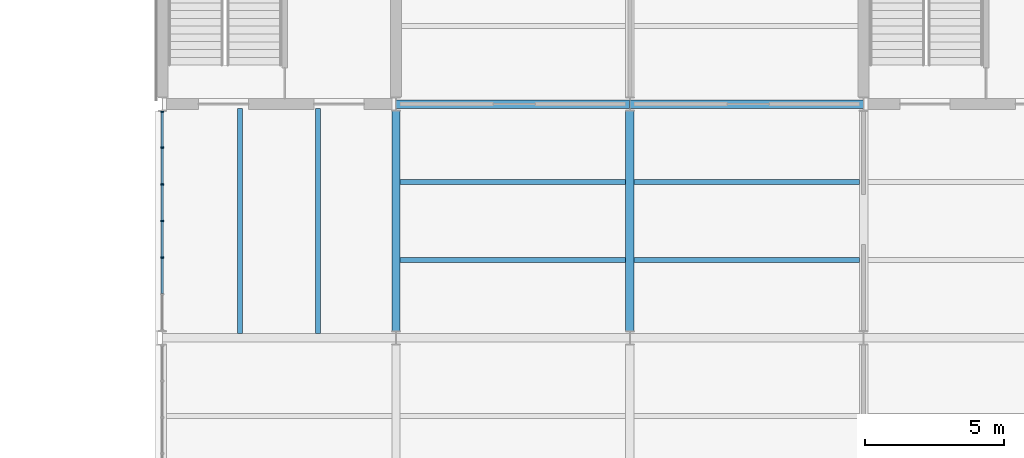
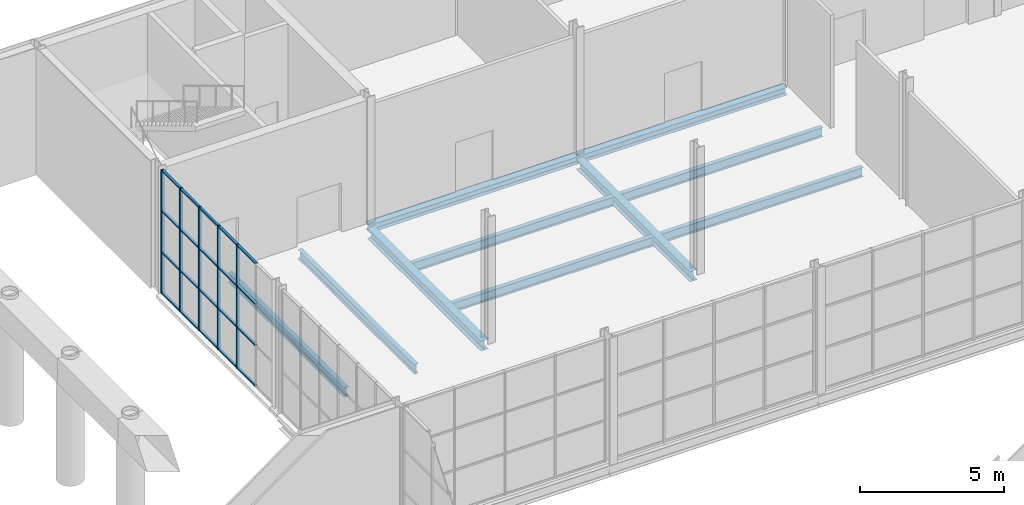
# One storey, part 19 of 64: 25 members, 10 beams, 1 element without a shape of its own.
"""IFC4 building model written with IfcOpenShell, lengths in metres."""

from ifc_helpers import new_model, si_unit, direction, frame, origin, origin_2d, place, context, subcontext, project, spatial, rectangle, i_section, extrude, material, layer, layer_set, material_profile, profile_set, type_object, element, aggregate, save


model = new_model("IFC4")

# Units and contexts
model_context = context("Model", 3, precision=1e-05, world=origin(), true_north=direction((0.0, 1.0)))
body_context = subcontext(model_context, "Body", "Model", "MODEL_VIEW")
ifc_project = project(units=[si_unit("LENGTHUNIT", "METRE"), si_unit("AREAUNIT", "SQUARE_METRE"), si_unit("VOLUMEUNIT", "CUBIC_METRE"), si_unit("PLANEANGLEUNIT", "RADIAN"), si_unit("MASSUNIT", "GRAM", prefix="KILO")], contexts=[model_context])

# Site, building, storey
site_placement = place(None, origin())
site = spatial("IfcSite", under=ifc_project, at=site_placement, CompositionType="ELEMENT")
building_placement = place(site_placement, origin())
building = spatial("IfcBuilding", under=site, at=building_placement, Name="Galleria Vessillo Department Store", CompositionType="ELEMENT")
storey_placement = place(building_placement, frame((0.0, 0.0, 6.0)))
storey = spatial("IfcBuildingStorey", under=building, at=storey_placement, Name="L01", CompositionType="ELEMENT", Elevation=6.0)

# Curtain wall, members
ifc_material_1 = material(Name="Aluminium and glass curtain wall", Category="aluminium")
ifc_layer = layer(ifc_material_1, 0.1201171875)
ifc_layer_set = layer_set([ifc_layer], Name="Aluminium and glass curtain wall")
curtain_wall_type = type_object("IfcCurtainWallType", Name="Shopfront curtain wall CW3 1400 module", PredefinedType="NOTDEFINED", material=ifc_layer_set)
curtain_wall_placement = place(storey_placement, origin())
curtain_wall = element("IfcCurtainWall", 1, at=curtain_wall_placement, inside=storey, type_object=curtain_wall_type, Name="Shopfront curtain wall CW3 1400 module LB-N-L01-02", PredefinedType="NOTDEFINED")
ifc_material_2 = material(Name="Aluminium alloy 6063 T6", Category="aluminium")
ifc_material_profile_1 = material_profile(ifc_material_2, rectangle(XDim=0.1201171875, YDim=0.050048828125, at=origin_2d()), Name="AL 50x120")
ifc_profile_set_1 = profile_set([ifc_material_profile_1], Name="Aluminium alloy 6063 T6")
member_type_1 = type_object("IfcMemberType", Name="Aluminium mullion 50 x 120", PredefinedType="MULLION", material=ifc_profile_set_1)
member_1_placement = place(storey_placement, frame((8.39990234375, 49.083251953125, 0.0), z_axis=(0.0, 0.0, 1.0), x_axis=(-1.0, 0.0, 0.0)))
member_1 = element("IfcMember", 2, at=member_1_placement, type_object=member_type_1, Name="CW3 mullion 3", PredefinedType="MULLION", context=body_context, shape_type="SweptSolid", body=[
    extrude(rectangle(XDim=0.1201171875, YDim=0.050048828125, at=origin_2d()), origin(), (0.0, 0.0, 1.0), 5.25),
])
member_2_placement = place(storey_placement, frame((8.39990234375, 50.39990234375, 0.0), z_axis=(0.0, 0.0, 1.0), x_axis=(-1.0, 0.0, 0.0)))
member_2 = element("IfcMember", 3, at=member_2_placement, type_object=member_type_1, Name="CW3 mullion 4", PredefinedType="MULLION", context=body_context, shape_type="SweptSolid", body=[
    extrude(rectangle(XDim=0.1201171875, YDim=0.050048828125, at=origin_2d()), origin(), (0.0, 0.0, 1.0), 5.25),
])
member_3_placement = place(storey_placement, frame((8.39990234375, 51.716796875, 0.0), z_axis=(0.0, 0.0, 1.0), x_axis=(-1.0, 0.0, 0.0)))
member_3 = element("IfcMember", 4, at=member_3_placement, type_object=member_type_1, Name="CW3 mullion 5", PredefinedType="MULLION", context=body_context, shape_type="SweptSolid", body=[
    extrude(rectangle(XDim=0.1201171875, YDim=0.050048828125, at=origin_2d()), origin(), (0.0, 0.0, 1.0), 5.25),
])
member_4_placement = place(storey_placement, frame((8.39990234375, 53.033447265625, 0.0), z_axis=(0.0, 0.0, 1.0), x_axis=(-1.0, 0.0, 0.0)))
member_4 = element("IfcMember", 5, at=member_4_placement, type_object=member_type_1, Name="CW3 mullion 6", PredefinedType="MULLION", context=body_context, shape_type="SweptSolid", body=[
    extrude(rectangle(XDim=0.1201171875, YDim=0.050048828125, at=origin_2d()), origin(), (0.0, 0.0, 1.0), 5.25),
])
member_5_placement = place(storey_placement, frame((8.39990234375, 54.3251953125, 0.0), z_axis=(0.0, 0.0, 1.0), x_axis=(-1.0, 0.0, 0.0)))
member_5 = element("IfcMember", 6, at=member_5_placement, type_object=member_type_1, Name="CW3 mullion 7", PredefinedType="MULLION", context=body_context, shape_type="SweptSolid", body=[
    extrude(rectangle(XDim=0.1201171875, YDim=0.050048828125, at=origin_2d()), origin(), (0.0, 0.0, 1.0), 5.25),
])
ifc_material_3 = material(Name="Aluminium alloy 6063 T6", Category="aluminium")
ifc_material_profile_2 = material_profile(ifc_material_3, rectangle(XDim=0.10009765625, YDim=0.050048828125, at=origin_2d()), Name="AL 50x100")
ifc_profile_set_2 = profile_set([ifc_material_profile_2], Name="Aluminium alloy 6063 T6")
member_type_2 = type_object("IfcMemberType", Name="Aluminium transom 50 x 100", PredefinedType="USERDEFINED", material=ifc_profile_set_2)
member_6_placement = place(storey_placement, frame((8.39990234375, 47.791748046875, 0.02490234375), z_axis=(0.0, 1.0, 0.0), x_axis=(-1.0, 0.0, 0.0)))
member_6 = element("IfcMember", 7, at=member_6_placement, type_object=member_type_2, Name="CW3 transom 2.1", ObjectType="TRANSOM", PredefinedType="USERDEFINED", context=body_context, shape_type="SweptSolid", body=[
    extrude(rectangle(XDim=0.10009765625, YDim=0.050048828125, at=origin_2d()), origin(), (0.0, 0.0, 1.0), 1.2666015625),
])
member_7_placement = place(storey_placement, frame((8.39990234375, 47.791748046875, 1.75), z_axis=(0.0, 1.0, 0.0), x_axis=(-1.0, 0.0, 0.0)))
member_7 = element("IfcMember", 8, at=member_7_placement, type_object=member_type_2, Name="CW3 transom 2.2", ObjectType="TRANSOM", PredefinedType="USERDEFINED", context=body_context, shape_type="SweptSolid", body=[
    extrude(rectangle(XDim=0.10009765625, YDim=0.050048828125, at=origin_2d()), origin(), (0.0, 0.0, 1.0), 1.2666015625),
])
member_8_placement = place(storey_placement, frame((8.39990234375, 47.791748046875, 3.5), z_axis=(0.0, 1.0, 0.0), x_axis=(-1.0, 0.0, 0.0)))
member_8 = element("IfcMember", 9, at=member_8_placement, type_object=member_type_2, Name="CW3 transom 2.3", ObjectType="TRANSOM", PredefinedType="USERDEFINED", context=body_context, shape_type="SweptSolid", body=[
    extrude(rectangle(XDim=0.10009765625, YDim=0.050048828125, at=origin_2d()), origin(), (0.0, 0.0, 1.0), 1.2666015625),
])
member_9_placement = place(storey_placement, frame((8.39990234375, 47.791748046875, 5.22509765625), z_axis=(0.0, 1.0, 0.0), x_axis=(-1.0, 0.0, 0.0)))
member_9 = element("IfcMember", 10, at=member_9_placement, type_object=member_type_2, Name="CW3 transom 2.4", ObjectType="TRANSOM", PredefinedType="USERDEFINED", context=body_context, shape_type="SweptSolid", body=[
    extrude(rectangle(XDim=0.10009765625, YDim=0.050048828125, at=origin_2d()), origin(), (0.0, 0.0, 1.0), 1.2666015625),
])
member_10_placement = place(storey_placement, frame((8.39990234375, 49.1083984375, 0.02490234375), z_axis=(0.0, 1.0, 0.0), x_axis=(-1.0, 0.0, 0.0)))
member_10 = element("IfcMember", 11, at=member_10_placement, type_object=member_type_2, Name="CW3 transom 3.1", ObjectType="TRANSOM", PredefinedType="USERDEFINED", context=body_context, shape_type="SweptSolid", body=[
    extrude(rectangle(XDim=0.10009765625, YDim=0.050048828125, at=origin_2d()), origin(), (0.0, 0.0, 1.0), 1.2666015625),
])
member_11_placement = place(storey_placement, frame((8.39990234375, 49.1083984375, 1.75), z_axis=(0.0, 1.0, 0.0), x_axis=(-1.0, 0.0, 0.0)))
member_11 = element("IfcMember", 12, at=member_11_placement, type_object=member_type_2, Name="CW3 transom 3.2", ObjectType="TRANSOM", PredefinedType="USERDEFINED", context=body_context, shape_type="SweptSolid", body=[
    extrude(rectangle(XDim=0.10009765625, YDim=0.050048828125, at=origin_2d()), origin(), (0.0, 0.0, 1.0), 1.2666015625),
])
member_12_placement = place(storey_placement, frame((8.39990234375, 49.1083984375, 3.5), z_axis=(0.0, 1.0, 0.0), x_axis=(-1.0, 0.0, 0.0)))
member_12 = element("IfcMember", 13, at=member_12_placement, type_object=member_type_2, Name="CW3 transom 3.3", ObjectType="TRANSOM", PredefinedType="USERDEFINED", context=body_context, shape_type="SweptSolid", body=[
    extrude(rectangle(XDim=0.10009765625, YDim=0.050048828125, at=origin_2d()), origin(), (0.0, 0.0, 1.0), 1.2666015625),
])
member_13_placement = place(storey_placement, frame((8.39990234375, 49.1083984375, 5.22509765625), z_axis=(0.0, 1.0, 0.0), x_axis=(-1.0, 0.0, 0.0)))
member_13 = element("IfcMember", 14, at=member_13_placement, type_object=member_type_2, Name="CW3 transom 3.4", ObjectType="TRANSOM", PredefinedType="USERDEFINED", context=body_context, shape_type="SweptSolid", body=[
    extrude(rectangle(XDim=0.10009765625, YDim=0.050048828125, at=origin_2d()), origin(), (0.0, 0.0, 1.0), 1.2666015625),
])
member_14_placement = place(storey_placement, frame((8.39990234375, 50.425048828125, 0.02490234375), z_axis=(0.0, 1.0, 0.0), x_axis=(-1.0, 0.0, 0.0)))
member_14 = element("IfcMember", 15, at=member_14_placement, type_object=member_type_2, Name="CW3 transom 4.1", ObjectType="TRANSOM", PredefinedType="USERDEFINED", context=body_context, shape_type="SweptSolid", body=[
    extrude(rectangle(XDim=0.10009765625, YDim=0.050048828125, at=origin_2d()), origin(), (0.0, 0.0, 1.0), 1.2666015625),
])
member_15_placement = place(storey_placement, frame((8.39990234375, 50.425048828125, 1.75), z_axis=(0.0, 1.0, 0.0), x_axis=(-1.0, 0.0, 0.0)))
member_15 = element("IfcMember", 16, at=member_15_placement, type_object=member_type_2, Name="CW3 transom 4.2", ObjectType="TRANSOM", PredefinedType="USERDEFINED", context=body_context, shape_type="SweptSolid", body=[
    extrude(rectangle(XDim=0.10009765625, YDim=0.050048828125, at=origin_2d()), origin(), (0.0, 0.0, 1.0), 1.2666015625),
])
member_16_placement = place(storey_placement, frame((8.39990234375, 50.425048828125, 3.5), z_axis=(0.0, 1.0, 0.0), x_axis=(-1.0, 0.0, 0.0)))
member_16 = element("IfcMember", 17, at=member_16_placement, type_object=member_type_2, Name="CW3 transom 4.3", ObjectType="TRANSOM", PredefinedType="USERDEFINED", context=body_context, shape_type="SweptSolid", body=[
    extrude(rectangle(XDim=0.10009765625, YDim=0.050048828125, at=origin_2d()), origin(), (0.0, 0.0, 1.0), 1.2666015625),
])
member_17_placement = place(storey_placement, frame((8.39990234375, 50.425048828125, 5.22509765625), z_axis=(0.0, 1.0, 0.0), x_axis=(-1.0, 0.0, 0.0)))
member_17 = element("IfcMember", 18, at=member_17_placement, type_object=member_type_2, Name="CW3 transom 4.4", ObjectType="TRANSOM", PredefinedType="USERDEFINED", context=body_context, shape_type="SweptSolid", body=[
    extrude(rectangle(XDim=0.10009765625, YDim=0.050048828125, at=origin_2d()), origin(), (0.0, 0.0, 1.0), 1.2666015625),
])
member_18_placement = place(storey_placement, frame((8.39990234375, 51.74169921875, 0.02490234375), z_axis=(0.0, 1.0, 0.0), x_axis=(-1.0, 0.0, 0.0)))
member_18 = element("IfcMember", 19, at=member_18_placement, type_object=member_type_2, Name="CW3 transom 5.1", ObjectType="TRANSOM", PredefinedType="USERDEFINED", context=body_context, shape_type="SweptSolid", body=[
    extrude(rectangle(XDim=0.10009765625, YDim=0.050048828125, at=origin_2d()), origin(), (0.0, 0.0, 1.0), 1.2666015625),
])
member_19_placement = place(storey_placement, frame((8.39990234375, 51.74169921875, 1.75), z_axis=(0.0, 1.0, 0.0), x_axis=(-1.0, 0.0, 0.0)))
member_19 = element("IfcMember", 20, at=member_19_placement, type_object=member_type_2, Name="CW3 transom 5.2", ObjectType="TRANSOM", PredefinedType="USERDEFINED", context=body_context, shape_type="SweptSolid", body=[
    extrude(rectangle(XDim=0.10009765625, YDim=0.050048828125, at=origin_2d()), origin(), (0.0, 0.0, 1.0), 1.2666015625),
])
member_20_placement = place(storey_placement, frame((8.39990234375, 51.74169921875, 3.5), z_axis=(0.0, 1.0, 0.0), x_axis=(-1.0, 0.0, 0.0)))
member_20 = element("IfcMember", 21, at=member_20_placement, type_object=member_type_2, Name="CW3 transom 5.3", ObjectType="TRANSOM", PredefinedType="USERDEFINED", context=body_context, shape_type="SweptSolid", body=[
    extrude(rectangle(XDim=0.10009765625, YDim=0.050048828125, at=origin_2d()), origin(), (0.0, 0.0, 1.0), 1.2666015625),
])
member_21_placement = place(storey_placement, frame((8.39990234375, 51.74169921875, 5.22509765625), z_axis=(0.0, 1.0, 0.0), x_axis=(-1.0, 0.0, 0.0)))
member_21 = element("IfcMember", 22, at=member_21_placement, type_object=member_type_2, Name="CW3 transom 5.4", ObjectType="TRANSOM", PredefinedType="USERDEFINED", context=body_context, shape_type="SweptSolid", body=[
    extrude(rectangle(XDim=0.10009765625, YDim=0.050048828125, at=origin_2d()), origin(), (0.0, 0.0, 1.0), 1.2666015625),
])
member_22_placement = place(storey_placement, frame((8.39990234375, 53.058349609375, 0.02490234375), z_axis=(0.0, 1.0, 0.0), x_axis=(-1.0, 0.0, 0.0)))
member_22 = element("IfcMember", 23, at=member_22_placement, type_object=member_type_2, Name="CW3 transom 6.1", ObjectType="TRANSOM", PredefinedType="USERDEFINED", context=body_context, shape_type="SweptSolid", body=[
    extrude(rectangle(XDim=0.10009765625, YDim=0.050048828125, at=origin_2d()), origin(), (0.0, 0.0, 1.0), 1.24169921875),
])
member_23_placement = place(storey_placement, frame((8.39990234375, 53.058349609375, 1.75), z_axis=(0.0, 1.0, 0.0), x_axis=(-1.0, 0.0, 0.0)))
member_23 = element("IfcMember", 24, at=member_23_placement, type_object=member_type_2, Name="CW3 transom 6.2", ObjectType="TRANSOM", PredefinedType="USERDEFINED", context=body_context, shape_type="SweptSolid", body=[
    extrude(rectangle(XDim=0.10009765625, YDim=0.050048828125, at=origin_2d()), origin(), (0.0, 0.0, 1.0), 1.24169921875),
])
member_24_placement = place(storey_placement, frame((8.39990234375, 53.058349609375, 3.5), z_axis=(0.0, 1.0, 0.0), x_axis=(-1.0, 0.0, 0.0)))
member_24 = element("IfcMember", 25, at=member_24_placement, type_object=member_type_2, Name="CW3 transom 6.3", ObjectType="TRANSOM", PredefinedType="USERDEFINED", context=body_context, shape_type="SweptSolid", body=[
    extrude(rectangle(XDim=0.10009765625, YDim=0.050048828125, at=origin_2d()), origin(), (0.0, 0.0, 1.0), 1.24169921875),
])
member_25_placement = place(storey_placement, frame((8.39990234375, 53.058349609375, 5.22509765625), z_axis=(0.0, 1.0, 0.0), x_axis=(-1.0, 0.0, 0.0)))
member_25 = element("IfcMember", 26, at=member_25_placement, type_object=member_type_2, Name="CW3 transom 6.4", ObjectType="TRANSOM", PredefinedType="USERDEFINED", context=body_context, shape_type="SweptSolid", body=[
    extrude(rectangle(XDim=0.10009765625, YDim=0.050048828125, at=origin_2d()), origin(), (0.0, 0.0, 1.0), 1.24169921875),
])
aggregate(curtain_wall, [member_1, member_2, member_3, member_4, member_5, member_6, member_7, member_8, member_9, member_10, member_11, member_12, member_13, member_14, member_15, member_16, member_17, member_18, member_19, member_20, member_21, member_22, member_23, member_24, member_25])

# Beams
ifc_material_4 = material(Name="Steel S355 J2", Category="steel")
ifc_material_profile_3 = material_profile(ifc_material_4, i_section(OverallWidth=0.300048828125, OverallDepth=0.43994140625, WebThickness=0.011474609375, FlangeThickness=0.02099609375, FilletRadius=0.027099609375, at=origin_2d()), Name="HEA 450")
ifc_profile_set_3 = profile_set([ifc_material_profile_3], Name="Steel S355 J2")
beam_type_1 = type_object("IfcBeamType", Name="Floor girder HEA 450", PredefinedType="BEAM", material=ifc_profile_set_3)
for number, where, z_axis, x_axis, name in (
    (27, (16.800048828125, 46.4501953125, -0.369873046875), (0.0, 1.0, 0.0), (-1.0, 0.0, 0.0), "S-BM-L01-GI-y16800-46450"),
    (28, (25.199951171875, 46.4501953125, -0.369873046875), (0.0, 1.0, 0.0), (-1.0, 0.0, 0.0), "S-BM-L01-GI-y25200-46450"),
):
    element("IfcBeam", number, at=place(storey_placement, frame(where, z_axis=z_axis, x_axis=x_axis)), inside=storey, type_object=beam_type_1, Name=name, PredefinedType="BEAM", context=body_context, shape_type="SweptSolid", body=[
        extrude(i_section(OverallWidth=0.300048828125, OverallDepth=0.43994140625, WebThickness=0.011474609375, FlangeThickness=0.02099609375, FilletRadius=0.027099609375, at=origin_2d()), origin(), (0.0, 0.0, 1.0), 7.899658203125),
    ])
ifc_material_5 = material(Name="Steel S355 J2", Category="steel")
ifc_material_profile_4 = material_profile(ifc_material_5, i_section(OverallWidth=0.179931640625, OverallDepth=0.39990234375, WebThickness=0.008544921875, FlangeThickness=0.013427734375, FilletRadius=0.02099609375, at=origin_2d()), Name="IPE 400")
ifc_profile_set_4 = profile_set([ifc_material_profile_4], Name="Steel S355 J2")
beam_type_2 = type_object("IfcBeamType", Name="Floor joist IPE 400", PredefinedType="JOIST", material=ifc_profile_set_4)
for number, where, z_axis, x_axis, name in (
    (29, (11.199951171875, 46.35009765625, -0.349853515625), (0.0, 1.0, 0.0), (-1.0, 0.0, 0.0), "S-BM-L01-JO-y11200-46350"),
    (30, (14.0, 46.35009765625, -0.349853515625), (0.0, 1.0, 0.0), (-1.0, 0.0, 0.0), "S-BM-L01-JO-y14000-46350"),
):
    element("IfcBeam", number, at=place(storey_placement, frame(where, z_axis=z_axis, x_axis=x_axis)), inside=storey, type_object=beam_type_2, Name=name, PredefinedType="JOIST", context=body_context, shape_type="SweptSolid", body=[
        extrude(i_section(OverallWidth=0.179931640625, OverallDepth=0.39990234375, WebThickness=0.008544921875, FlangeThickness=0.013427734375, FilletRadius=0.02099609375, at=origin_2d()), origin(), (0.0, 0.0, 1.0), 8.099853515625),
    ])
for number, where, z_axis, x_axis, name in (
    (31, (16.9501953125, 49.0, -0.349853515625), (1.0, 0.0, 0.0), (0.0, 1.0, 0.0), "S-BM-L01-JO-x49000-16950"),
    (32, (16.9501953125, 51.800048828125, -0.349853515625), (1.0, 0.0, 0.0), (0.0, 1.0, 0.0), "S-BM-L01-JO-x51800-16950"),
):
    element("IfcBeam", number, at=place(storey_placement, frame(where, z_axis=z_axis, x_axis=x_axis)), inside=storey, type_object=beam_type_2, Name=name, PredefinedType="JOIST", context=body_context, shape_type="SweptSolid", body=[
        extrude(i_section(OverallWidth=0.179931640625, OverallDepth=0.39990234375, WebThickness=0.008544921875, FlangeThickness=0.013427734375, FilletRadius=0.02099609375, at=origin_2d()), origin(), (0.0, 0.0, 1.0), 8.099609375),
    ])
for number, where, z_axis, x_axis, name in (
    (33, (25.35009765625, 49.0, -0.349853515625), (1.0, 0.0, 0.0), (0.0, 1.0, 0.0), "S-BM-L01-JO-x49000-25350"),
    (34, (25.35009765625, 51.800048828125, -0.349853515625), (1.0, 0.0, 0.0), (0.0, 1.0, 0.0), "S-BM-L01-JO-x51800-25350"),
):
    element("IfcBeam", number, at=place(storey_placement, frame(where, z_axis=z_axis, x_axis=x_axis)), inside=storey, type_object=beam_type_2, Name=name, PredefinedType="JOIST", context=body_context, shape_type="SweptSolid", body=[
        extrude(i_section(OverallWidth=0.179931640625, OverallDepth=0.39990234375, WebThickness=0.008544921875, FlangeThickness=0.013427734375, FilletRadius=0.02099609375, at=origin_2d()), origin(), (0.0, 0.0, 1.0), 8.099853515625),
    ])
ifc_material_6 = material(Name="Steel S355 J2", Category="steel")
ifc_material_profile_5 = material_profile(ifc_material_6, i_section(OverallWidth=0.300048828125, OverallDepth=0.330078125, WebThickness=0.009521484375, FlangeThickness=0.0166015625, FilletRadius=0.027099609375, at=origin_2d()), Name="HEA 340")
ifc_profile_set_5 = profile_set([ifc_material_profile_5], Name="Steel S355 J2")
beam_type_3 = type_object("IfcBeamType", Name="Floor tie girder HEA 340", PredefinedType="BEAM", material=ifc_profile_set_5)
for number, where, z_axis, x_axis, name in (
    (35, (16.807373046875, 54.60009765625, -0.31494140625), (1.0, 0.0, 0.0), (0.0, 1.0, 0.0), "S-BM-L01-TI-x54600-16807"),
    (36, (25.207275390625, 54.60009765625, -0.31494140625), (1.0, 0.0, 0.0), (0.0, 1.0, 0.0), "S-BM-L01-TI-x54600-25207"),
):
    element("IfcBeam", number, at=place(storey_placement, frame(where, z_axis=z_axis, x_axis=x_axis)), inside=storey, type_object=beam_type_3, Name=name, PredefinedType="BEAM", context=body_context, shape_type="SweptSolid", body=[
        extrude(i_section(OverallWidth=0.300048828125, OverallDepth=0.330078125, WebThickness=0.009521484375, FlangeThickness=0.0166015625, FilletRadius=0.027099609375, at=origin_2d()), origin(), (0.0, 0.0, 1.0), 8.38525390625),
    ])

save(model, "model.ifc")
